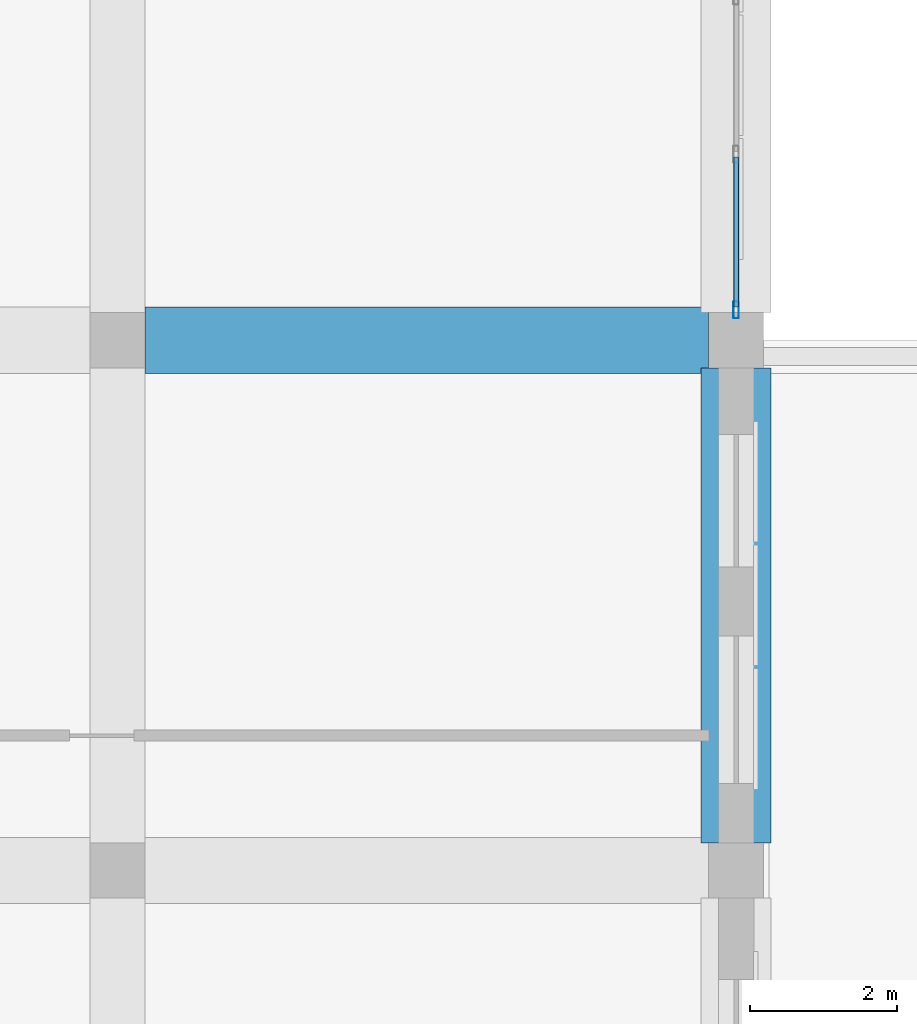
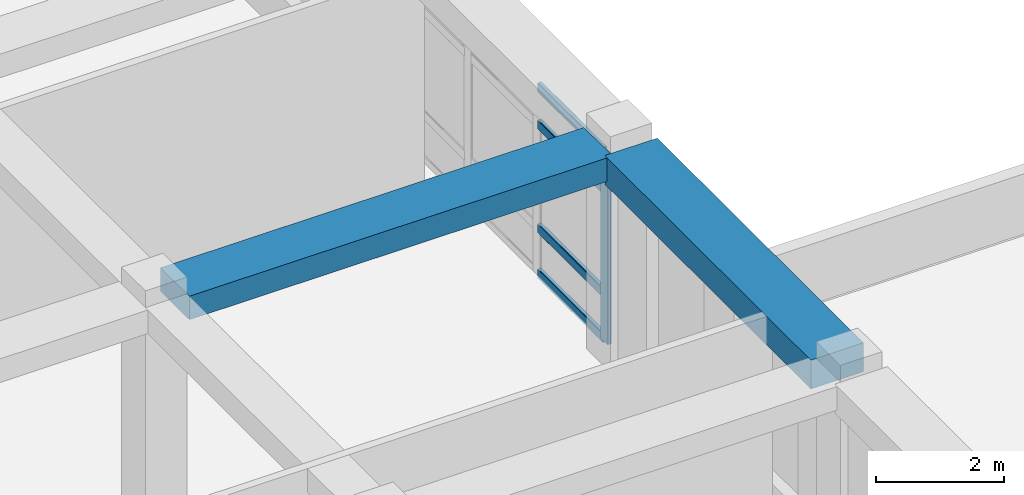
# One storey, part 47 of 121: 5 members, 2 beams, 1 element without a shape of its own.
"""IFC4 building model written with IfcOpenShell, lengths in metres."""

from ifc_helpers import new_model, si_unit, derived_unit, direction, frame, origin, origin_2d, place, context, subcontext, project, spatial, rectangle, hollow_rectangle, extrude, material, material_profile, profile_set, type_object, element, aggregate, save


model = new_model("IFC4")

# Units and contexts
model_context = context("Model", 3, precision=1e-05, world=origin(), true_north=direction((0.0, 1.0)))
body_context = subcontext(model_context, "Body", "Model", "MODEL_VIEW")
ifc_project = project(units=[si_unit("LENGTHUNIT", "METRE"), si_unit("AREAUNIT", "SQUARE_METRE"), si_unit("VOLUMEUNIT", "CUBIC_METRE"), si_unit("PLANEANGLEUNIT", "RADIAN"), si_unit("MASSUNIT", "GRAM", prefix="KILO"), derived_unit("THERMALTRANSMITTANCEUNIT", [(si_unit("POWERUNIT", "WATT"), 1), (si_unit("LENGTHUNIT", "METRE"), -2), (si_unit("THERMODYNAMICTEMPERATUREUNIT", "KELVIN"), -1)])], contexts=[model_context])

# Site, building, storey
site_placement = place(None, origin())
site = spatial("IfcSite", under=ifc_project, at=site_placement, CompositionType="ELEMENT")
building_placement = place(site_placement, origin())
building = spatial("IfcBuilding", under=site, at=building_placement, Name="Veybourne Emporium", CompositionType="ELEMENT")
storey_placement = place(building_placement, frame((0.0, 0.0, 5.39990234375)))
storey = spatial("IfcBuildingStorey", under=building, at=storey_placement, Name="L01", CompositionType="ELEMENT", Elevation=5.39990234375)

# Curtain wall, members
ifc_material_1 = material(Name="Patinated Architectural Bronze", Category="bronze")
curtain_wall_type = type_object("IfcCurtainWallType", Name="CWSystem_CWS-22", PredefinedType="NOTDEFINED", material=ifc_material_1)
curtain_wall_placement = place(storey_placement, origin())
curtain_wall = element("IfcCurtainWall", 1, at=curtain_wall_placement, inside=storey, type_object=curtain_wall_type, Name="L01 bronze glazed curtain wall CWS-22 (057)", PredefinedType="NOTDEFINED")
ifc_material_profile_1 = material_profile(ifc_material_1, hollow_rectangle(XDim=0.074951171875, YDim=0.22998046875, WallThickness=0.0048828125, InnerFilletRadius=0.007568359375, OuterFilletRadius=0.012451171875, at=origin_2d()), Name="CWM 75x230x5")
ifc_profile_set_1 = profile_set([ifc_material_profile_1], Name="Patinated Architectural Bronze")
member_type_1 = type_object("IfcMemberType", Name="CWMullion_CW-M2", PredefinedType="MULLION", material=ifc_profile_set_1)
member_1_placement = place(storey_placement, frame((100.800048828125, 94.012451171875, 0.0), z_axis=(0.0, 0.0, 1.0), x_axis=(1.0, 0.0, 0.0)))
member_1 = element("IfcMember", 2, at=member_1_placement, type_object=member_type_1, Name="CWS-22 mullion 4", PredefinedType="MULLION", context=body_context, shape_type="SweptSolid", body=[
    extrude(hollow_rectangle(XDim=0.074951171875, YDim=0.22998046875, WallThickness=0.0048828125, InnerFilletRadius=0.007568359375, OuterFilletRadius=0.012451171875, at=origin_2d()), origin(), (0.0, 0.0, 1.0), 3.630126953125),
])
ifc_material_profile_2 = material_profile(ifc_material_1, hollow_rectangle(XDim=0.074951171875, YDim=0.179931640625, WallThickness=0.0048828125, InnerFilletRadius=0.007568359375, OuterFilletRadius=0.012451171875, at=origin_2d()), Name="CWT 75x180x5")
ifc_profile_set_2 = profile_set([ifc_material_profile_2], Name="Patinated Architectural Bronze")
member_type_2 = type_object("IfcMemberType", Name="CWTransom_CW-T2", PredefinedType="NOTDEFINED", material=ifc_profile_set_2)
member_2_placement = place(storey_placement, frame((100.800048828125, 96.08740234375, 0.03759765625), z_axis=(0.0, -1.0, 0.0), x_axis=(1.0, 0.0, 0.0)))
member_2 = element("IfcMember", 3, at=member_2_placement, type_object=member_type_2, Name="CWS-22 transom 3.1", ObjectType="TRANSOM", PredefinedType="USERDEFINED", context=body_context, shape_type="SweptSolid", body=[
    extrude(hollow_rectangle(XDim=0.074951171875, YDim=0.179931640625, WallThickness=0.0048828125, InnerFilletRadius=0.007568359375, OuterFilletRadius=0.012451171875, at=origin_2d()), origin(), (0.0, 0.0, 1.0), 2.037353515625),
])
member_3_placement = place(storey_placement, frame((100.800048828125, 96.08740234375, 0.900146484375), z_axis=(0.0, -1.0, 0.0), x_axis=(1.0, 0.0, 0.0)))
member_3 = element("IfcMember", 4, at=member_3_placement, type_object=member_type_2, Name="CWS-22 transom 3.2", ObjectType="TRANSOM", PredefinedType="USERDEFINED", context=body_context, shape_type="SweptSolid", body=[
    extrude(hollow_rectangle(XDim=0.074951171875, YDim=0.179931640625, WallThickness=0.0048828125, InnerFilletRadius=0.007568359375, OuterFilletRadius=0.012451171875, at=origin_2d()), origin(), (0.0, 0.0, 1.0), 2.037353515625),
])
member_4_placement = place(storey_placement, frame((100.800048828125, 96.08740234375, 2.880126953125), z_axis=(0.0, -1.0, 0.0), x_axis=(1.0, 0.0, 0.0)))
member_4 = element("IfcMember", 5, at=member_4_placement, type_object=member_type_2, Name="CWS-22 transom 3.3", ObjectType="TRANSOM", PredefinedType="USERDEFINED", context=body_context, shape_type="SweptSolid", body=[
    extrude(hollow_rectangle(XDim=0.074951171875, YDim=0.179931640625, WallThickness=0.0048828125, InnerFilletRadius=0.007568359375, OuterFilletRadius=0.012451171875, at=origin_2d()), origin(), (0.0, 0.0, 1.0), 2.037353515625),
])
member_5_placement = place(storey_placement, frame((100.800048828125, 96.08740234375, 3.592529296875), z_axis=(0.0, -1.0, 0.0), x_axis=(1.0, 0.0, 0.0)))
member_5 = element("IfcMember", 6, at=member_5_placement, type_object=member_type_2, Name="CWS-22 transom 3.4", ObjectType="TRANSOM", PredefinedType="USERDEFINED", context=body_context, shape_type="SweptSolid", body=[
    extrude(hollow_rectangle(XDim=0.074951171875, YDim=0.179931640625, WallThickness=0.0048828125, InnerFilletRadius=0.007568359375, OuterFilletRadius=0.012451171875, at=origin_2d()), origin(), (0.0, 0.0, 1.0), 2.037353515625),
])
aggregate(curtain_wall, [member_1, member_2, member_3, member_4, member_5])

# Beams
ifc_material_2 = material(Name="Concrete C32/40", Category="concrete")
ifc_material_profile_3 = material_profile(ifc_material_2, rectangle(XDim=0.89990234375, YDim=0.449951171875, at=origin_2d()), Name="RC 900x450")
ifc_profile_set_3 = profile_set([ifc_material_profile_3], Name="Concrete C32/40")
beam_type_1 = type_object("IfcBeamType", Name="RCBeam_BB-03", PredefinedType="BEAM", material=ifc_profile_set_3)
beam_1_placement = place(storey_placement, frame((92.77490234375, 93.60009765625, 3.955078125), z_axis=(1.0, 0.0, 0.0), x_axis=(0.0, 1.0, 0.0)))
element("IfcBeam", 7, at=beam_1_placement, inside=storey, type_object=beam_type_1, Name="L01 X-grid beam BB-03 (11,13)", PredefinedType="BEAM", context=body_context, shape_type="SweptSolid", body=[
    extrude(rectangle(XDim=0.89990234375, YDim=0.449951171875, at=origin_2d()), origin(), (0.0, 0.0, 1.0), 7.650146484375),
])
ifc_material_profile_4 = material_profile(ifc_material_2, rectangle(XDim=0.949951171875, YDim=0.550048828125, at=origin_2d()), Name="RC 950x550")
ifc_profile_set_4 = profile_set([ifc_material_profile_4], Name="Concrete C32/40")
beam_type_2 = type_object("IfcBeamType", Name="RCBeam_EB-01", PredefinedType="SPANDREL", material=ifc_profile_set_4)
beam_2_placement = place(storey_placement, frame((100.800048828125, 86.77490234375, 3.905029296875), z_axis=(0.0, 1.0, 0.0), x_axis=(-1.0, 0.0, 0.0)))
element("IfcBeam", 8, at=beam_2_placement, inside=storey, type_object=beam_type_2, Name="L01 Y-grid beam EB-01 (12,12)", PredefinedType="SPANDREL", context=body_context, shape_type="SweptSolid", body=[
    extrude(rectangle(XDim=0.949951171875, YDim=0.550048828125, at=origin_2d()), origin(), (0.0, 0.0, 1.0), 6.4501953125),
])

save(model, "model.ifc")
